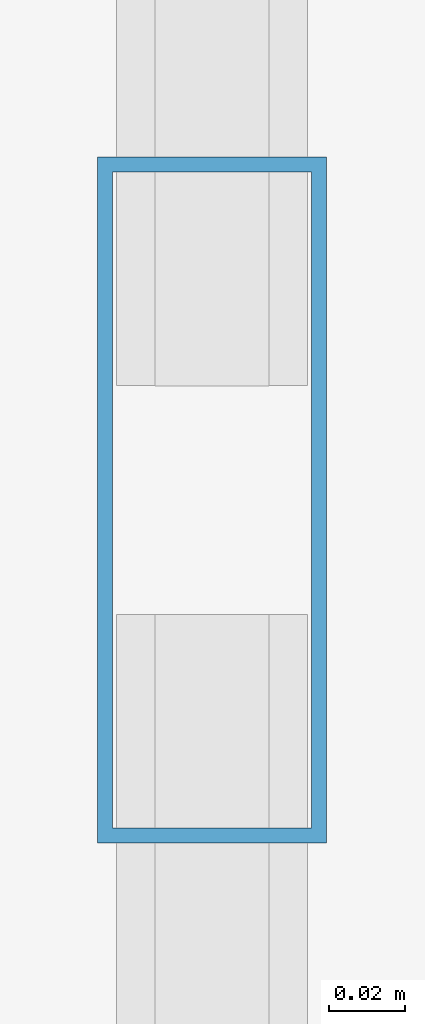
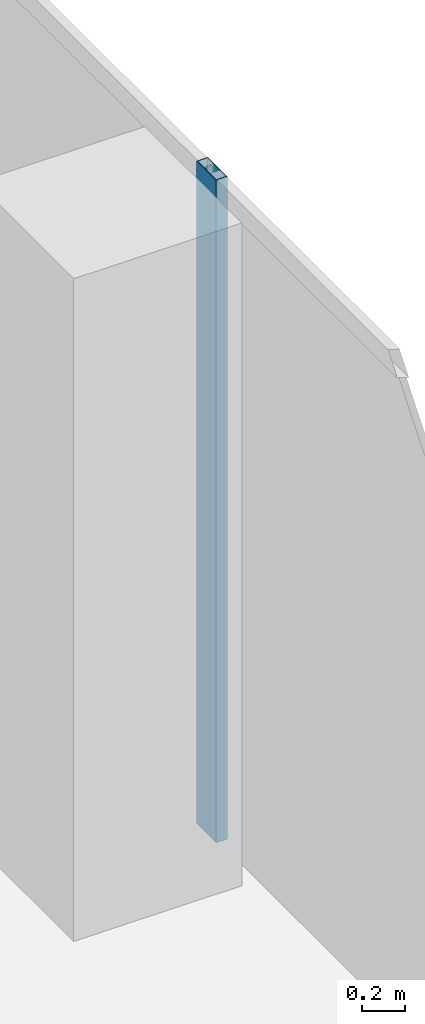
# One storey, part 15 of 36: 1 member, 1 element without a shape of its own.
"""IFC4 building model written with IfcOpenShell, lengths in metres."""

from ifc_helpers import new_model, si_unit, direction, frame, origin, origin_2d, place, context, subcontext, project, spatial, hollow_rectangle, extrude, source, transform, mapped, material, material_profile, profile_set, type_object, element, aggregate, save


model = new_model("IFC4")

# Units and contexts
model_context = context("Model", 3, precision=1e-05, world=origin(), true_north=direction((0.0, 1.0)))
body_context = subcontext(model_context, "Body", "Model", "MODEL_VIEW")
ifc_project = project(units=[si_unit("LENGTHUNIT", "METRE"), si_unit("AREAUNIT", "SQUARE_METRE"), si_unit("VOLUMEUNIT", "CUBIC_METRE"), si_unit("PLANEANGLEUNIT", "RADIAN"), si_unit("MASSUNIT", "GRAM", prefix="KILO")], contexts=[model_context])

# Site, building, storey
site_placement = place(None, origin())
site = spatial("IfcSite", under=ifc_project, at=site_placement, CompositionType="ELEMENT")
building_placement = place(site_placement, origin())
building = spatial("IfcBuilding", under=site, at=building_placement, Name="Khomas Fold Tower", CompositionType="ELEMENT")
storey_placement = place(building_placement, frame((0.0, 0.0, 230.199951171875)))
storey = spatial("IfcBuildingStorey", under=building, at=storey_placement, Name="L51", CompositionType="ELEMENT", Elevation=230.199951171875)

# Curtain wall, member
ifc_material_1 = material(Name="Aluminium framed double glazing", Category="aluminium")
curtain_wall_type = type_object("IfcCurtainWallType", Name="SK-Unitised clear-glass wall, office floors CW2", PredefinedType="NOTDEFINED", material=ifc_material_1)
curtain_wall_placement = place(storey_placement, origin())
curtain_wall = element("IfcCurtainWall", 1, at=curtain_wall_placement, inside=storey, type_object=curtain_wall_type, Name="CW2 run L51 03-1", PredefinedType="NOTDEFINED")
ifc_material_2 = material(Name="Aluminium", Category="aluminium")
ifc_material_profile = material_profile(ifc_material_2, hollow_rectangle(XDim=0.06005859375, YDim=0.179931640625, WallThickness=0.00390625, at=origin_2d()), Name="SK-Unitised clear-glass wall, office floors mullion CW2-M")
ifc_profile_set = profile_set([ifc_material_profile], Name="Aluminium")
member_type = type_object("IfcMemberType", Name="SK-Unitised clear-glass wall, office floors mullion CW2-M", PredefinedType="MULLION", material=ifc_profile_set)
shared_shape = source(origin(), body_context, "Body", "SweptSolid", [
    extrude(hollow_rectangle(XDim=0.06005859375, YDim=0.179931640625, WallThickness=0.00390625, at=origin_2d()), origin(), (0.0, 0.0, 1.0), 3.75),
])
member_placement = place(storey_placement, frame((49.39990234375, 34.5, 0.0), z_axis=(0.0, 0.0, 1.0), x_axis=(-1.0, 0.0, 0.0)))
member = element("IfcMember", 2, at=member_placement, type_object=member_type, Name="CW2 mullion 3", PredefinedType="MULLION", context=body_context, shape_type="MappedRepresentation", body=[
    mapped(shared_shape, transform((0.0, 0.0, 0.0))),
])
aggregate(curtain_wall, [member])

save(model, "model.ifc")
